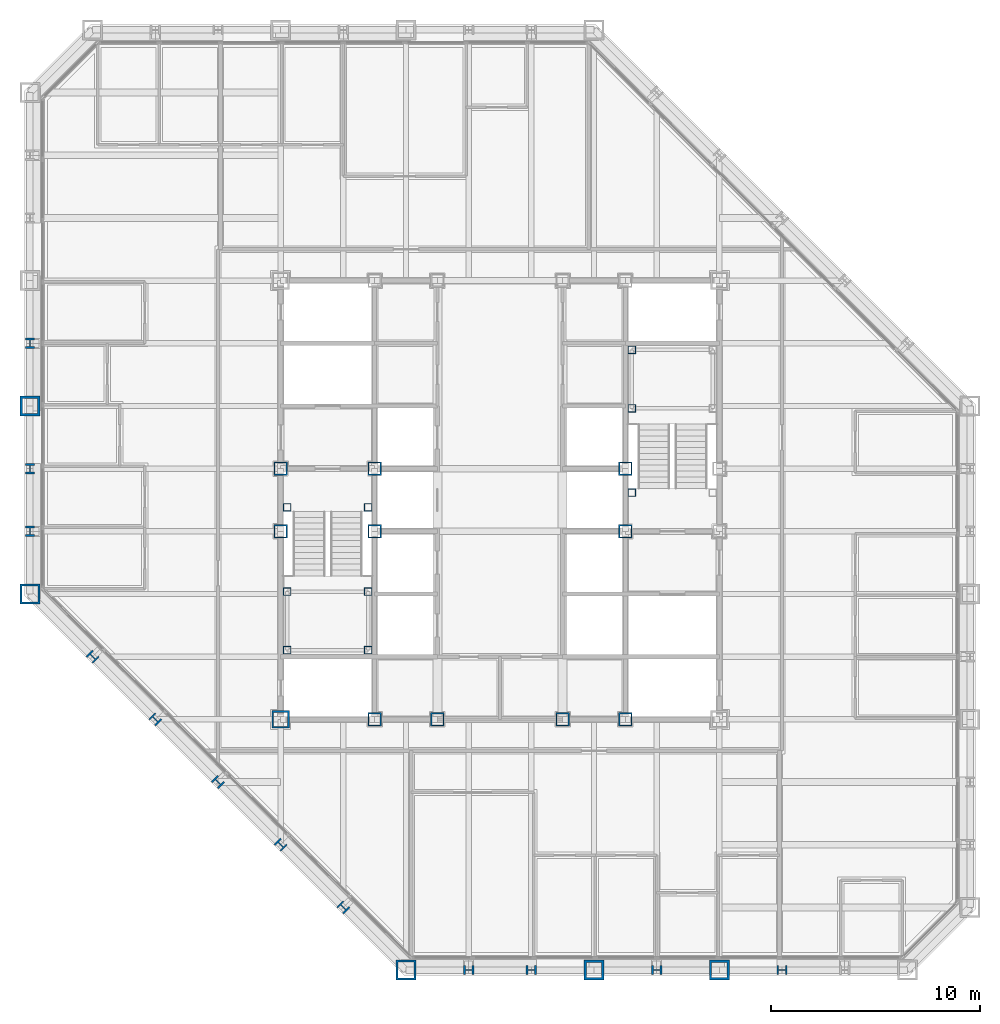
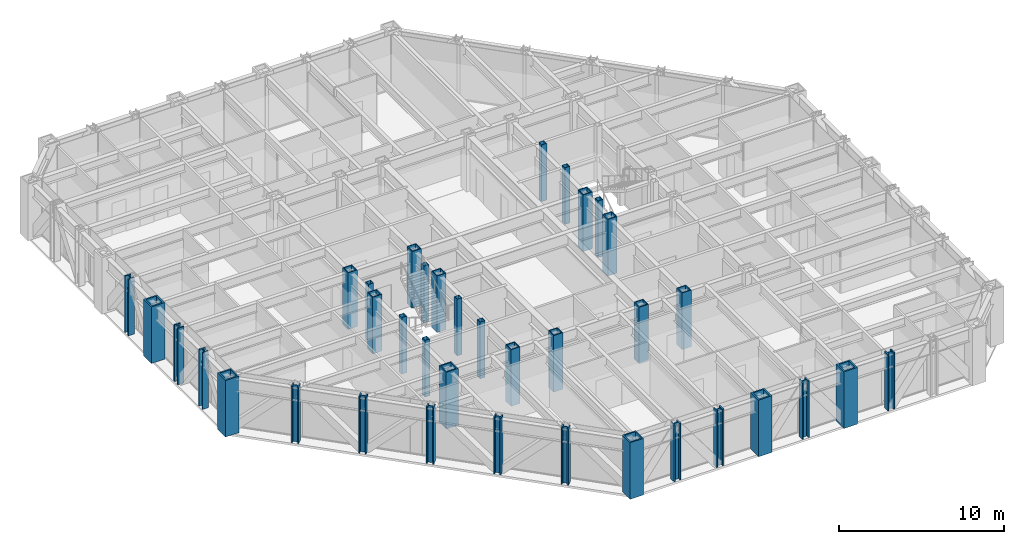
# One storey, part 1 of 16: 37 columns.
"""IFC4 building model written with IfcOpenShell, lengths in metres."""

from ifc_helpers import new_model, si_unit, direction, frame, origin, origin_2d, place, context, subcontext, project, spatial, hollow_rectangle, i_section, extrude, material, material_profile, profile_set, type_object, element, save


model = new_model("IFC4")

# Units and contexts
model_context = context("Model", 3, precision=1e-05, world=origin(), true_north=direction((0.0, 1.0)))
body_context = subcontext(model_context, "Body", "Model", "MODEL_VIEW")
ifc_project = project(units=[si_unit("LENGTHUNIT", "METRE"), si_unit("AREAUNIT", "SQUARE_METRE"), si_unit("VOLUMEUNIT", "CUBIC_METRE"), si_unit("PLANEANGLEUNIT", "RADIAN"), si_unit("MASSUNIT", "GRAM", prefix="KILO")], contexts=[model_context])

# Site, building, storey
site_placement = place(None, origin())
site = spatial("IfcSite", under=ifc_project, at=site_placement, CompositionType="ELEMENT")
building_placement = place(site_placement, origin())
building = spatial("IfcBuilding", under=site, at=building_placement, Name="Chuquiago Exchange Tower", CompositionType="ELEMENT")
storey_placement = place(building_placement, frame((0.0, 0.0, 140.39990234375)))
storey = spatial("IfcBuildingStorey", under=building, at=storey_placement, Name="L30", CompositionType="ELEMENT", Elevation=140.39990234375)

# Columns
ifc_material_1 = material(Name="Steel ASTM A992", Category="steel")
ifc_material_profile_1 = material_profile(ifc_material_1, i_section(OverallWidth=0.431884765625, OverallDepth=0.497802734375, WebThickness=0.0556640625, FlangeThickness=0.0888671875, at=origin_2d()), Name="W14X500")
ifc_profile_set_1 = profile_set([ifc_material_profile_1], Name="Steel ASTM A992")
column_type_1 = type_object("IfcColumnType", Name="C7 W14X500", PredefinedType="COLUMN", material=ifc_profile_set_1)
for number, where, z_axis, x_axis, name in (
    (1, (21.0, 0.0, 0.0), (0.0, 0.0, 1.0), (0.0, -1.0, 0.0), "COL-L30-21_0"),
    (2, (24.0, 0.0, 0.0), (0.0, 0.0, 1.0), (0.0, -1.0, 0.0), "COL-L30-24_0"),
    (3, (30.0, 0.0, 0.0), (0.0, 0.0, 1.0), (0.0, -1.0, 0.0), "COL-L30-30_0"),
    (4, (36.0, 0.0, 0.0), (0.0, 0.0, 1.0), (0.0, -1.0, 0.0), "COL-L30-36_0"),
    (5, (0.0, 30.0, 0.0), (0.0, 0.0, 1.0), (-1.0, 0.0, 0.0), "COL-L30-0_30"),
    (6, (0.0, 24.0, 0.0), (0.0, 0.0, 1.0), (-1.0, 0.0, 0.0), "COL-L30-0_24"),
    (7, (0.0, 21.0, 0.0), (0.0, 0.0, 1.0), (-1.0, 0.0, 0.0), "COL-L30-0_21"),
):
    element("IfcColumn", number, at=place(storey_placement, frame(where, z_axis=z_axis, x_axis=x_axis)), inside=storey, type_object=column_type_1, Name=name, PredefinedType="COLUMN", context=body_context, shape_type="SweptSolid", body=[
        extrude(i_section(OverallWidth=0.431884765625, OverallDepth=0.497802734375, WebThickness=0.0556640625, FlangeThickness=0.0888671875, at=origin_2d()), origin(), (0.0, 0.0, 1.0), 4.2001953125),
    ])
ifc_material_2 = material(Name="Steel ASTM A572 Grade 50", Category="steel")
ifc_material_profile_2 = material_profile(ifc_material_2, hollow_rectangle(XDim=0.85009765625, YDim=0.85009765625, WallThickness=0.0849609375, at=origin_2d()), Name="BOX850X850X85")
ifc_profile_set_2 = profile_set([ifc_material_profile_2], Name="Steel ASTM A572 Grade 50")
column_type_2 = type_object("IfcColumnType", Name="CC6 BOX850X850X85", PredefinedType="COLUMN", material=ifc_profile_set_2)
column_placement = place(storey_placement, frame((12.0, 12.0, 0.0), z_axis=(0.0, 0.0, 1.0), x_axis=(1.0, 0.0, 0.0)))
element("IfcColumn", 8, at=column_placement, inside=storey, type_object=column_type_2, Name="CCOL-L30-12_12", PredefinedType="COLUMN", context=body_context, shape_type="SweptSolid", body=[
    extrude(hollow_rectangle(XDim=0.85009765625, YDim=0.85009765625, WallThickness=0.0849609375, at=origin_2d()), origin(), (0.0, 0.0, 1.0), 4.2001953125),
])
ifc_material_3 = material(Name="Steel ASTM A572 Grade 50", Category="steel")
ifc_material_profile_3 = material_profile(ifc_material_3, hollow_rectangle(XDim=0.64990234375, YDim=0.64990234375, WallThickness=0.06494140625, at=origin_2d()), Name="BOX650X650X65")
ifc_profile_set_3 = profile_set([ifc_material_profile_3], Name="Steel ASTM A572 Grade 50")
column_type_3 = type_object("IfcColumnType", Name="CC7 BOX650X650X65", PredefinedType="COLUMN", material=ifc_profile_set_3)
for number, where, z_axis, x_axis, name in (
    (9, (16.5, 12.0, 0.0), (0.0, 0.0, 1.0), (1.0, 0.0, 0.0), "CCOL-L30-16.5_12"),
    (10, (19.5, 12.0, 0.0), (0.0, 0.0, 1.0), (1.0, 0.0, 0.0), "CCOL-L30-19.5_12"),
    (11, (25.5, 12.0, 0.0), (0.0, 0.0, 1.0), (1.0, 0.0, 0.0), "CCOL-L30-25.5_12"),
    (12, (28.5, 12.0, 0.0), (0.0, 0.0, 1.0), (1.0, 0.0, 0.0), "CCOL-L30-28.5_12"),
    (13, (12.0, 21.0, 0.0), (0.0, 0.0, 1.0), (1.0, 0.0, 0.0), "CCOL-L30-12_21"),
    (14, (12.0, 24.0, 0.0), (0.0, 0.0, 1.0), (1.0, 0.0, 0.0), "CCOL-L30-12_24"),
    (15, (16.5, 21.0, 0.0), (0.0, 0.0, 1.0), (1.0, 0.0, 0.0), "CCOL-L30-16.5_21"),
    (16, (16.5, 24.0, 0.0), (0.0, 0.0, 1.0), (1.0, 0.0, 0.0), "CCOL-L30-16.5_24"),
    (17, (28.5, 21.0, 0.0), (0.0, 0.0, 1.0), (1.0, 0.0, 0.0), "CCOL-L30-28.5_21"),
    (18, (28.5, 24.0, 0.0), (0.0, 0.0, 1.0), (1.0, 0.0, 0.0), "CCOL-L30-28.5_24"),
):
    element("IfcColumn", number, at=place(storey_placement, frame(where, z_axis=z_axis, x_axis=x_axis)), inside=storey, type_object=column_type_3, Name=name, PredefinedType="COLUMN", context=body_context, shape_type="SweptSolid", body=[
        extrude(hollow_rectangle(XDim=0.64990234375, YDim=0.64990234375, WallThickness=0.06494140625, at=origin_2d()), origin(), (0.0, 0.0, 1.0), 4.2001953125),
    ])
ifc_material_4 = material(Name="Steel ASTM A992", Category="steel")
ifc_material_profile_4 = material_profile(ifc_material_4, i_section(OverallWidth=0.4267578125, OverallDepth=0.482666015625, WebThickness=0.05126953125, FlangeThickness=0.08154296875, at=origin_2d()), Name="W14X455")
ifc_profile_set_4 = profile_set([ifc_material_profile_4], Name="Steel ASTM A992")
column_type_4 = type_object("IfcColumnType", Name="CK6 W14X455", PredefinedType="COLUMN", material=ifc_profile_set_4)
for number, where, z_axis, x_axis, name in (
    (19, (3.0, 15.0, 0.0), (0.0, 0.0, 1.0), (-0.707106781187, -0.707106781187, 0.0), "COL-L30-3_15"),
    (20, (6.0, 12.0, 0.0), (0.0, 0.0, 1.0), (-0.707106781187, -0.707106781187, 0.0), "COL-L30-6_12"),
    (21, (9.0, 9.0, 0.0), (0.0, 0.0, 1.0), (-0.707106781187, -0.707106781187, 0.0), "COL-L30-9_9"),
    (22, (12.0, 6.0, 0.0), (0.0, 0.0, 1.0), (-0.707106781187, -0.707106781187, 0.0), "COL-L30-12_6"),
    (23, (15.0, 3.0, 0.0), (0.0, 0.0, 1.0), (-0.707106781187, -0.707106781187, 0.0), "COL-L30-15_3"),
):
    element("IfcColumn", number, at=place(storey_placement, frame(where, z_axis=z_axis, x_axis=x_axis)), inside=storey, type_object=column_type_4, Name=name, PredefinedType="COLUMN", context=body_context, shape_type="SweptSolid", body=[
        extrude(i_section(OverallWidth=0.4267578125, OverallDepth=0.482666015625, WebThickness=0.05126953125, FlangeThickness=0.08154296875, at=origin_2d()), origin(), (0.0, 0.0, 1.0), 4.2001953125),
    ])
ifc_material_5 = material(Name="Steel ASTM A572 Grade 50", Category="steel")
ifc_material_profile_5 = material_profile(ifc_material_5, hollow_rectangle(XDim=0.949951171875, YDim=0.949951171875, WallThickness=0.094970703125, at=origin_2d()), Name="BOX950X950X95")
ifc_profile_set_5 = profile_set([ifc_material_profile_5], Name="Steel ASTM A572 Grade 50")
column_type_5 = type_object("IfcColumnType", Name="CN1 BOX950X950X95", PredefinedType="COLUMN", material=ifc_profile_set_5)
for number, where, z_axis, x_axis, name in (
    (24, (18.0, 0.0, 0.0), (0.0, 0.0, 1.0), (0.0, -1.0, 0.0), "COL-L30-18_0"),
    (25, (0.0, 18.0, 0.0), (0.0, 0.0, 1.0), (-1.0, 0.0, 0.0), "COL-L30-0_18"),
):
    element("IfcColumn", number, at=place(storey_placement, frame(where, z_axis=z_axis, x_axis=x_axis)), inside=storey, type_object=column_type_5, Name=name, PredefinedType="COLUMN", context=body_context, shape_type="SweptSolid", body=[
        extrude(hollow_rectangle(XDim=0.949951171875, YDim=0.949951171875, WallThickness=0.094970703125, at=origin_2d()), origin(), (0.0, 0.0, 1.0), 4.2001953125),
    ])
ifc_material_6 = material(Name="Steel ASTM A572 Grade 42", Category="steel")
ifc_material_profile_6 = material_profile(ifc_material_6, hollow_rectangle(XDim=0.949951171875, YDim=0.949951171875, WallThickness=0.110107421875, at=origin_2d()), Name="BOX950X950X110")
ifc_profile_set_6 = profile_set([ifc_material_profile_6], Name="Steel ASTM A572 Grade 42")
column_type_6 = type_object("IfcColumnType", Name="CT1 BOX950X950X110", PredefinedType="COLUMN", material=ifc_profile_set_6)
for number, where, z_axis, x_axis, name in (
    (26, (27.0, 0.0, 0.0), (0.0, 0.0, 1.0), (0.0, -1.0, 0.0), "COL-L30-27_0"),
    (27, (33.0, 0.0, 0.0), (0.0, 0.0, 1.0), (0.0, -1.0, 0.0), "COL-L30-33_0"),
    (28, (0.0, 27.0, 0.0), (0.0, 0.0, 1.0), (-1.0, 0.0, 0.0), "COL-L30-0_27"),
):
    element("IfcColumn", number, at=place(storey_placement, frame(where, z_axis=z_axis, x_axis=x_axis)), inside=storey, type_object=column_type_6, Name=name, PredefinedType="COLUMN", context=body_context, shape_type="SweptSolid", body=[
        extrude(hollow_rectangle(XDim=0.949951171875, YDim=0.949951171875, WallThickness=0.110107421875, at=origin_2d()), origin(), (0.0, 0.0, 1.0), 4.2001953125),
    ])
ifc_material_7 = material(Name="Steel ASTM A500 Grade C", Category="steel")
ifc_material_profile_7 = material_profile(ifc_material_7, hollow_rectangle(XDim=0.355712890625, YDim=0.355712890625, WallThickness=0.0146484375, at=origin_2d()), Name="HSS14X14X5/8")
ifc_profile_set_7 = profile_set([ifc_material_profile_7], Name="Steel ASTM A500 Grade C")
column_type_7 = type_object("IfcColumnType", Name="PT2 HSS14X14X5/8", PredefinedType="COLUMN", material=ifc_profile_set_7)
for number, where, z_axis, x_axis, name in (
    (29, (12.31005859375, 15.31005859375, 0.0), (0.0, 0.0, 1.0), (1.0, 0.0, 0.0), "Stair ST1 L30 landing post"),
    (30, (16.18994140625, 15.31005859375, 0.0), (0.0, 0.0, 1.0), (1.0, 0.0, 0.0), "Stair ST1 L30 landing post"),
    (31, (12.31005859375, 18.110107421875, 0.0), (0.0, 0.0, 1.0), (1.0, 0.0, 0.0), "Stair ST1 L30 landing post"),
    (32, (16.18994140625, 18.110107421875, 0.0), (0.0, 0.0, 1.0), (1.0, 0.0, 0.0), "Stair ST1 L30 landing post"),
    (33, (12.31005859375, 22.14990234375, 0.0), (0.0, 0.0, 1.0), (1.0, 0.0, 0.0), "Stair ST1 L30 landing post"),
    (34, (16.18994140625, 22.14990234375, 0.0), (0.0, 0.0, 1.0), (1.0, 0.0, 0.0), "Stair ST1 L30 landing post"),
    (35, (28.81005859375, 29.68994140625, 0.0), (0.0, 0.0, 1.0), (1.0, 0.0, 0.0), "Stair ST2 L30 landing post"),
    (36, (28.81005859375, 26.889892578125, 0.0), (0.0, 0.0, 1.0), (1.0, 0.0, 0.0), "Stair ST2 L30 landing post"),
    (37, (28.81005859375, 22.85009765625, 0.0), (0.0, 0.0, 1.0), (1.0, 0.0, 0.0), "Stair ST2 L30 landing post"),
):
    element("IfcColumn", number, at=place(storey_placement, frame(where, z_axis=z_axis, x_axis=x_axis)), inside=storey, type_object=column_type_7, Name=name, PredefinedType="COLUMN", context=body_context, shape_type="SweptSolid", body=[
        extrude(hollow_rectangle(XDim=0.355712890625, YDim=0.355712890625, WallThickness=0.0146484375, at=origin_2d()), origin(), (0.0, 0.0, 1.0), 4.2001953125),
    ])

save(model, "model.ifc")
